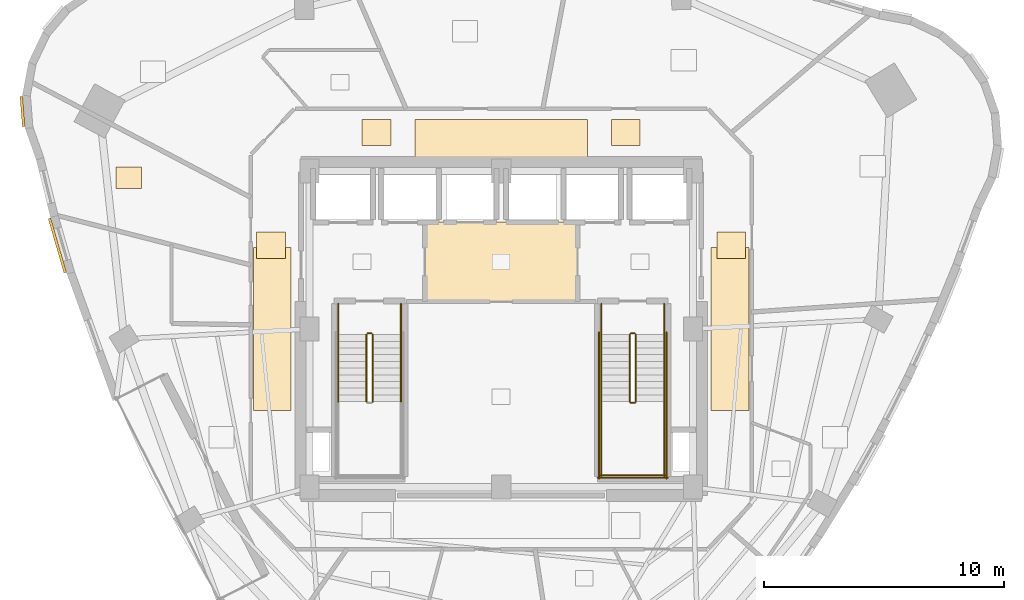
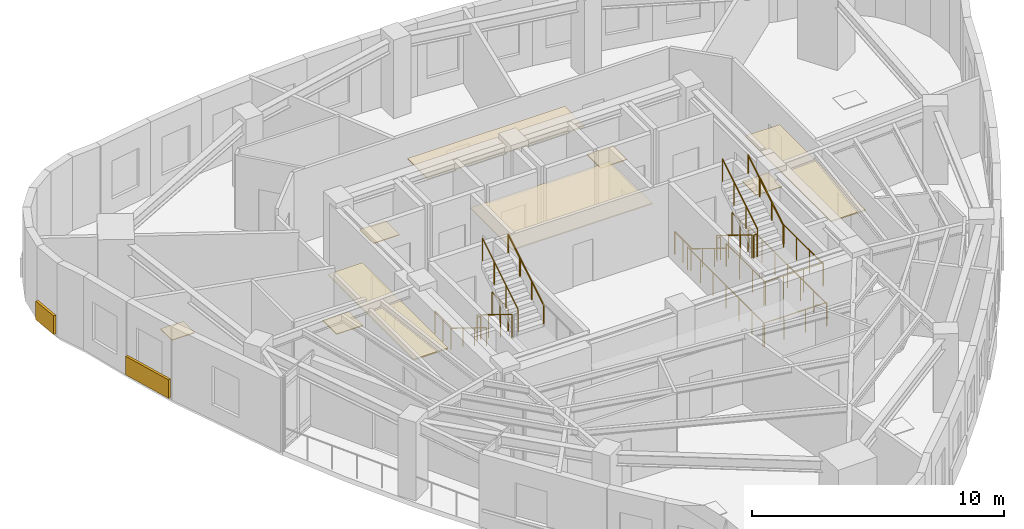
# One storey, part 11 of 12: 21 railings, 11 coverings.
"""IFC4 building model written with IfcOpenShell, lengths in metres."""

from ifc_helpers import new_model, si_unit, direction, frame, origin, origin_2d, place, context, subcontext, project, spatial, rectangle, circle, extrude, material, layer, layer_set, type_object, element, save


model = new_model("IFC4")

# Units and contexts
model_context = context("Model", 3, precision=1e-05, world=origin(), true_north=direction((0.0, 1.0)))
body_context = subcontext(model_context, "Body", "Model", "MODEL_VIEW")
ifc_project = project(units=[si_unit("LENGTHUNIT", "METRE"), si_unit("AREAUNIT", "SQUARE_METRE"), si_unit("VOLUMEUNIT", "CUBIC_METRE"), si_unit("PLANEANGLEUNIT", "RADIAN"), si_unit("MASSUNIT", "GRAM", prefix="KILO")], contexts=[model_context])

# Site, building, storey
site_placement = place(None, origin())
site = spatial("IfcSite", under=ifc_project, at=site_placement, CompositionType="ELEMENT")
building_placement = place(site_placement, origin())
building = spatial("IfcBuilding", under=site, at=building_placement, Name="Ndelora Gate Hotel", CompositionType="ELEMENT")
storey_placement = place(building_placement, frame((0.0, 0.0, 194.14990234375)))
storey = spatial("IfcBuildingStorey", under=building, at=storey_placement, Name="L48", CompositionType="ELEMENT", Elevation=194.14990234375)

# Coverings
ifc_material_1 = material(Name="Perforated Acoustic Gypsum Board", Category="gypsum")
ifc_layer_1 = layer(ifc_material_1, 0.054931640625)
ifc_layer_set_1 = layer_set([ifc_layer_1], Name="Perforated Acoustic Gypsum Board")
covering_type_1 = type_object("IfcCoveringType", Name="COV-CEIL-AC60", PredefinedType="CEILING", material=ifc_layer_set_1)
covering_1_placement = place(storey_placement, frame((0.0, 2.800048828125, 2.72265625), z_axis=(0.0, 0.0, 1.0), x_axis=(1.0, 0.0, 0.0)))
element("IfcCovering", 1, at=covering_1_placement, inside=storey, type_object=covering_type_1, Name="L48 Lift Lobby Acoustic Ceiling", PredefinedType="CEILING", context=body_context, shape_type="SweptSolid", body=[
    extrude(rectangle(XDim=6.39990234375, YDim=3.340087890625, at=origin_2d()), origin(), (0.0, 0.0, 1.0), 0.054931640625),
])
covering_2_placement = place(storey_placement, frame((0.0, 7.9599609375, 2.65283203125), z_axis=(0.0, 0.0, 1.0), x_axis=(1.0, 0.0, 0.0)))
element("IfcCovering", 2, at=covering_2_placement, inside=storey, type_object=covering_type_1, Name="L48 Guest Corridor Acoustic Ceiling N", PredefinedType="CEILING", context=body_context, shape_type="SweptSolid", body=[
    extrude(rectangle(XDim=7.199951171875, YDim=1.580078125, at=origin_2d()), origin(), (0.0, 0.0, 1.0), 0.054931640625),
])
for number, where, z_axis, x_axis, name in (
    (3, (-9.550048828125, 0.0, 2.65283203125), (0.0, 0.0, 1.0), (1.0, 0.0, 0.0), "L48 Guest Corridor Acoustic Ceiling W"),
    (4, (9.550048828125, 0.0, 2.65283203125), (0.0, 0.0, 1.0), (1.0, 0.0, 0.0), "L48 Guest Corridor Acoustic Ceiling E"),
):
    element("IfcCovering", number, at=place(storey_placement, frame(where, z_axis=z_axis, x_axis=x_axis)), inside=storey, type_object=covering_type_1, Name=name, PredefinedType="CEILING", context=body_context, shape_type="SweptSolid", body=[
        extrude(rectangle(XDim=1.580078125, YDim=6.800048828125, at=origin_2d()), origin(), (0.0, 0.0, 1.0), 0.054931640625),
    ])
ifc_material_2 = material(Name="Terracotta Fired Clay Brick Slip Cladding", Category="masonry")
ifc_layer_2 = layer(ifc_material_2, 0.110107421875)
ifc_layer_set_2 = layer_set([ifc_layer_2], Name="Terracotta Fired Clay Brick Slip Cladding")
covering_type_2 = type_object("IfcCoveringType", Name="COV-CLAD-BRK", PredefinedType="CLADDING", material=ifc_layer_set_2)
covering_3_placement = place(storey_placement, frame((-19.97412109375, 9.070556640625, 0.10009765625), z_axis=(0.0, 0.0, 1.0), x_axis=(-0.078459095728, 0.996917333733, 0.0)))
element("IfcCovering", 5, at=covering_3_placement, inside=storey, type_object=covering_type_2, Name="L48 Rounded-Corner Brick Cladding Band 7", PredefinedType="CLADDING", context=body_context, shape_type="SweptSolid", body=[
    extrude(rectangle(XDim=1.257080078125, YDim=0.110107421875, at=origin_2d()), origin(), (0.0, 0.0, 1.0), 0.89990234375),
])
covering_4_placement = place(storey_placement, frame((-18.51953125, 3.484130859375, 0.10009765625), z_axis=(0.0, 0.0, 1.0), x_axis=(-0.278488259221, 0.960439633437, 0.0)))
element("IfcCovering", 6, at=covering_4_placement, inside=storey, type_object=covering_type_2, Name="L48 Rounded-Corner Brick Cladding Band 10", PredefinedType="CLADDING", context=body_context, shape_type="SweptSolid", body=[
    extrude(rectangle(XDim=2.35888671875, YDim=0.110107421875, at=origin_2d()), origin(), (0.0, 0.0, 1.0), 0.89990234375),
])
ifc_material_3 = material(Name="Engineered Highland Oak Parquet", Category="wood")
ifc_layer_3 = layer(ifc_material_3, 0.030029296875)
ifc_layer_set_3 = layer_set([ifc_layer_3], Name="Engineered Highland Oak Parquet")
covering_type_3 = type_object("IfcCoveringType", Name="COV-FLR-PARQ", PredefinedType="FLOORING", material=ifc_layer_set_3)
covering_5_placement = place(storey_placement, frame((-15.541748046875, 6.30517578125, 0.0), z_axis=(0.0, 0.0, 1.0), x_axis=(1.0, 0.0, 0.0)))
element("IfcCovering", 7, at=covering_5_placement, inside=storey, type_object=covering_type_3, Name="L48 Housekeeping and Linen Room Oak Parquet Flooring", PredefinedType="FLOORING", context=body_context, shape_type="SweptSolid", body=[
    extrude(rectangle(XDim=1.050048828125, YDim=0.89990234375, at=origin_2d()), origin(), (0.0, 0.0, 1.0), 0.030029296875),
])
ifc_material_4 = material(Name="Polished Highland Stone Terrazzo", Category="masonry")
ifc_layer_4 = layer(ifc_material_4, 0.034912109375)
ifc_layer_set_4 = layer_set([ifc_layer_4], Name="Polished Highland Stone Terrazzo")
covering_type_4 = type_object("IfcCoveringType", Name="COV-FLR-TERZ", PredefinedType="FLOORING", material=ifc_layer_set_4)
for number, where, z_axis, x_axis, name in (
    (8, (-5.199951171875, 8.199951171875, 0.0), (0.0, 0.0, 1.0), (1.0, 0.0, 0.0), "L48 Corridor Threshold Terrazzo Inlay NW"),
    (9, (5.199951171875, 8.199951171875, 0.0), (0.0, 0.0, 1.0), (1.0, 0.0, 0.0), "L48 Corridor Threshold Terrazzo Inlay NE"),
    (10, (-9.60009765625, 3.5, 0.0), (0.0, 0.0, 1.0), (1.0, 0.0, 0.0), "L48 Corridor Threshold Terrazzo Inlay W"),
    (11, (9.60009765625, 3.5, 0.0), (0.0, 0.0, 1.0), (1.0, 0.0, 0.0), "L48 Corridor Threshold Terrazzo Inlay E"),
):
    element("IfcCovering", number, at=place(storey_placement, frame(where, z_axis=z_axis, x_axis=x_axis)), inside=storey, type_object=covering_type_4, Name=name, PredefinedType="FLOORING", context=body_context, shape_type="SweptSolid", body=[
        extrude(rectangle(XDim=1.199951171875, YDim=1.10009765625, at=origin_2d()), origin(), (0.0, 0.0, 1.0), 0.034912109375),
    ])

# Railings
ifc_material_5 = material(Name="Painted Galvanized Steel Balustrade", Category="steel")
ifc_layer_5 = layer(ifc_material_5, 0.06005859375)
ifc_layer_set_5 = layer_set([ifc_layer_5], Name="Painted Galvanized Steel Balustrade")
railing_type_1 = type_object("IfcRailingType", Name="RL-STAIR-GD", PredefinedType="GUARDRAIL", material=ifc_layer_set_5)
railing_1_placement = place(storey_placement, frame((-5.6201171875, -0.22998046875, 0.1728515625)))
element("IfcRailing", 12, at=railing_1_placement, inside=storey, type_object=railing_type_1, Name="L48 ST4 stair guard 1", PredefinedType="GUARDRAIL", context=body_context, shape_type="SweptSolid", body=[
    extrude(circle(Radius=0.02392578125, at=origin_2d()), frame((0.0, 0.0, 1.10595703125), z_axis=(0.0, -0.851089632645, 0.525020415988), x_axis=(1.0, 0.0, 0.0)), (0.0, 0.0, 1.0), 3.2900390625),
    extrude(circle(Radius=0.02099609375, at=origin_2d()), origin(), (0.0, 0.0, 1.0), 1.081787109375),
    extrude(circle(Radius=0.02099609375, at=origin_2d()), frame((0.0, -0.933349609375, 0.57568359375)), (0.0, 0.0, 1.0), 1.081787109375),
    extrude(circle(Radius=0.02099609375, at=origin_2d()), frame((0.0, -1.86669921875, 1.151611328125)), (0.0, 0.0, 1.0), 1.081787109375),
    extrude(circle(Radius=0.02099609375, at=origin_2d()), frame((0.0, -2.800048828125, 1.727294921875)), (0.0, 0.0, 1.0), 1.081787109375),
])
railing_2_placement = place(storey_placement, frame((-5.360107421875, -3.030029296875, 2.07275390625)))
element("IfcRailing", 13, at=railing_2_placement, inside=storey, type_object=railing_type_1, Name="L48 ST4 stair guard 6", PredefinedType="GUARDRAIL", context=body_context, shape_type="SweptSolid", body=[
    extrude(circle(Radius=0.02392578125, at=origin_2d()), frame((0.0, 0.0, 1.10595703125), z_axis=(0.0, 0.851089632645, 0.525020415988), x_axis=(-1.0, 0.0, 0.0)), (0.0, 0.0, 1.0), 3.2900390625),
    extrude(circle(Radius=0.02099609375, at=origin_2d()), origin(), (0.0, 0.0, 1.0), 1.081787109375),
    extrude(circle(Radius=0.02099609375, at=origin_2d()), frame((0.0, 0.933349609375, 0.57568359375)), (0.0, 0.0, 1.0), 1.081787109375),
    extrude(circle(Radius=0.02099609375, at=origin_2d()), frame((0.0, 1.86669921875, 1.151611328125)), (0.0, 0.0, 1.0), 1.081787109375),
    extrude(circle(Radius=0.02099609375, at=origin_2d()), frame((0.0, 2.800048828125, 1.727294921875)), (0.0, 0.0, 1.0), 1.081787109375),
])
railing_3_placement = place(storey_placement, frame((-5.570068359375, -0.179931640625, 0.0)))
element("IfcRailing", 14, at=railing_3_placement, inside=storey, type_object=railing_type_1, Name="L48 ST4 stair guard 7", PredefinedType="GUARDRAIL", context=body_context, shape_type="SweptSolid", body=[
    extrude(circle(Radius=0.02392578125, at=origin_2d()), frame((0.0, 0.0, 1.10595703125), z_axis=(1.0, 0.0, 0.0), x_axis=(0.0, 1.0, 0.0)), (0.0, 0.0, 1.0), 0.16015625),
    extrude(circle(Radius=0.02099609375, at=origin_2d()), origin(), (0.0, 0.0, 1.0), 1.081787109375),
    extrude(circle(Radius=0.02099609375, at=origin_2d()), frame((0.16015625, 0.0, 0.0)), (0.0, 0.0, 1.0), 1.081787109375),
])
for number, where, name in (
    (15, (-6.800048828125, 1.050048828125, 0.0), "L48 ST4 stair guard 8"),
    (16, (-4.179931640625, 1.050048828125, 0.0), "L48 ST4 stair guard 9"),
):
    element("IfcRailing", number, at=place(storey_placement, frame(where)), inside=storey, type_object=railing_type_1, Name=name, PredefinedType="GUARDRAIL", context=body_context, shape_type="SweptSolid", body=[
        extrude(circle(Radius=0.02392578125, at=origin_2d()), frame((0.0, 0.0, 1.10595703125), z_axis=(0.0, -1.0, 0.0), x_axis=(1.0, 0.0, 0.0)), (0.0, 0.0, 1.0), 1.280029296875),
        extrude(circle(Radius=0.02099609375, at=origin_2d()), origin(), (0.0, 0.0, 1.0), 1.081787109375),
        extrude(circle(Radius=0.02099609375, at=origin_2d()), frame((0.0, -0.64013671875, 0.0)), (0.0, 0.0, 1.0), 1.081787109375),
        extrude(circle(Radius=0.02099609375, at=origin_2d()), frame((0.0, -1.280029296875, 0.0)), (0.0, 0.0, 1.0), 1.081787109375),
    ])
railing_4_placement = place(storey_placement, frame((5.360107421875, -0.22998046875, 0.1728515625)))
element("IfcRailing", 17, at=railing_4_placement, inside=storey, type_object=railing_type_1, Name="L48 ST5 stair guard 1", PredefinedType="GUARDRAIL", context=body_context, shape_type="SweptSolid", body=[
    extrude(circle(Radius=0.02392578125, at=origin_2d()), frame((0.0, 0.0, 1.10595703125), z_axis=(0.0, -0.851089632645, 0.525020415988), x_axis=(1.0, 0.0, 0.0)), (0.0, 0.0, 1.0), 3.2900390625),
    extrude(circle(Radius=0.02099609375, at=origin_2d()), origin(), (0.0, 0.0, 1.0), 1.081787109375),
    extrude(circle(Radius=0.02099609375, at=origin_2d()), frame((0.0, -0.933349609375, 0.57568359375)), (0.0, 0.0, 1.0), 1.081787109375),
    extrude(circle(Radius=0.02099609375, at=origin_2d()), frame((0.0, -1.86669921875, 1.151611328125)), (0.0, 0.0, 1.0), 1.081787109375),
    extrude(circle(Radius=0.02099609375, at=origin_2d()), frame((0.0, -2.800048828125, 1.727294921875)), (0.0, 0.0, 1.0), 1.081787109375),
])
railing_5_placement = place(storey_placement, frame((5.409912109375, -3.080078125, 1.900146484375)))
element("IfcRailing", 18, at=railing_5_placement, inside=storey, type_object=railing_type_1, Name="L48 ST5 stair guard 2", PredefinedType="GUARDRAIL", context=body_context, shape_type="SweptSolid", body=[
    extrude(circle(Radius=0.02392578125, at=origin_2d()), frame((0.0, 0.0, 1.10595703125), z_axis=(1.0, 0.0, 0.0), x_axis=(0.0, 1.0, 0.0)), (0.0, 0.0, 1.0), 0.16015625),
    extrude(circle(Radius=0.02099609375, at=origin_2d()), origin(), (0.0, 0.0, 1.0), 1.081787109375),
    extrude(circle(Radius=0.02099609375, at=origin_2d()), frame((0.16015625, 0.0, 0.0)), (0.0, 0.0, 1.0), 1.081787109375),
])
for number, where, name in (
    (19, (4.179931640625, -3.030029296875, 1.900146484375), "L48 ST5 stair guard 3"),
    (20, (6.800048828125, -3.030029296875, 1.900146484375), "L48 ST5 stair guard 4"),
):
    element("IfcRailing", number, at=place(storey_placement, frame(where)), inside=storey, type_object=railing_type_1, Name=name, PredefinedType="GUARDRAIL", context=body_context, shape_type="SweptSolid", body=[
        extrude(circle(Radius=0.02392578125, at=origin_2d()), frame((0.0, 0.0, 1.10595703125), z_axis=(0.0, -1.0, 0.0), x_axis=(1.0, 0.0, 0.0)), (0.0, 0.0, 1.0), 3.119873046875),
        extrude(circle(Radius=0.02099609375, at=origin_2d()), origin(), (0.0, 0.0, 1.0), 1.081787109375),
        extrude(circle(Radius=0.02099609375, at=origin_2d()), frame((0.0, -1.0400390625, 0.0)), (0.0, 0.0, 1.0), 1.081787109375),
        extrude(circle(Radius=0.02099609375, at=origin_2d()), frame((0.0, -2.079833984375, 0.0)), (0.0, 0.0, 1.0), 1.081787109375),
        extrude(circle(Radius=0.02099609375, at=origin_2d()), frame((0.0, -3.119873046875, 0.0)), (0.0, 0.0, 1.0), 1.081787109375),
    ])
railing_6_placement = place(storey_placement, frame((4.1298828125, -6.10009765625, 1.900146484375)))
element("IfcRailing", 21, at=railing_6_placement, inside=storey, type_object=railing_type_1, Name="L48 ST5 stair guard 5", PredefinedType="GUARDRAIL", context=body_context, shape_type="SweptSolid", body=[
    extrude(circle(Radius=0.02392578125, at=origin_2d()), frame((0.0, 0.0, 1.10595703125), z_axis=(1.0, 0.0, 0.0), x_axis=(0.0, 1.0, 0.0)), (0.0, 0.0, 1.0), 2.72021484375),
    extrude(circle(Radius=0.02099609375, at=origin_2d()), origin(), (0.0, 0.0, 1.0), 1.081787109375),
    extrude(circle(Radius=0.02099609375, at=origin_2d()), frame((0.90673828125, 0.0, 0.0)), (0.0, 0.0, 1.0), 1.081787109375),
    extrude(circle(Radius=0.02099609375, at=origin_2d()), frame((1.8134765625, 0.0, 0.0)), (0.0, 0.0, 1.0), 1.081787109375),
    extrude(circle(Radius=0.02099609375, at=origin_2d()), frame((2.72021484375, 0.0, 0.0)), (0.0, 0.0, 1.0), 1.081787109375),
])
railing_7_placement = place(storey_placement, frame((5.6201171875, -3.030029296875, 2.07275390625)))
element("IfcRailing", 22, at=railing_7_placement, inside=storey, type_object=railing_type_1, Name="L48 ST5 stair guard 6", PredefinedType="GUARDRAIL", context=body_context, shape_type="SweptSolid", body=[
    extrude(circle(Radius=0.02392578125, at=origin_2d()), frame((0.0, 0.0, 1.10595703125), z_axis=(0.0, 0.851089632645, 0.525020415988), x_axis=(-1.0, 0.0, 0.0)), (0.0, 0.0, 1.0), 3.2900390625),
    extrude(circle(Radius=0.02099609375, at=origin_2d()), origin(), (0.0, 0.0, 1.0), 1.081787109375),
    extrude(circle(Radius=0.02099609375, at=origin_2d()), frame((0.0, 0.933349609375, 0.57568359375)), (0.0, 0.0, 1.0), 1.081787109375),
    extrude(circle(Radius=0.02099609375, at=origin_2d()), frame((0.0, 1.86669921875, 1.151611328125)), (0.0, 0.0, 1.0), 1.081787109375),
    extrude(circle(Radius=0.02099609375, at=origin_2d()), frame((0.0, 2.800048828125, 1.727294921875)), (0.0, 0.0, 1.0), 1.081787109375),
])
railing_8_placement = place(storey_placement, frame((5.409912109375, -0.179931640625, 0.0)))
element("IfcRailing", 23, at=railing_8_placement, inside=storey, type_object=railing_type_1, Name="L48 ST5 stair guard 7", PredefinedType="GUARDRAIL", context=body_context, shape_type="SweptSolid", body=[
    extrude(circle(Radius=0.02392578125, at=origin_2d()), frame((0.0, 0.0, 1.10595703125), z_axis=(1.0, 0.0, 0.0), x_axis=(0.0, 1.0, 0.0)), (0.0, 0.0, 1.0), 0.16015625),
    extrude(circle(Radius=0.02099609375, at=origin_2d()), origin(), (0.0, 0.0, 1.0), 1.081787109375),
    extrude(circle(Radius=0.02099609375, at=origin_2d()), frame((0.16015625, 0.0, 0.0)), (0.0, 0.0, 1.0), 1.081787109375),
])
for number, where, name in (
    (24, (4.179931640625, 1.050048828125, 0.0), "L48 ST5 stair guard 8"),
    (25, (6.800048828125, 1.050048828125, 0.0), "L48 ST5 stair guard 9"),
):
    element("IfcRailing", number, at=place(storey_placement, frame(where)), inside=storey, type_object=railing_type_1, Name=name, PredefinedType="GUARDRAIL", context=body_context, shape_type="SweptSolid", body=[
        extrude(circle(Radius=0.02392578125, at=origin_2d()), frame((0.0, 0.0, 1.10595703125), z_axis=(0.0, -1.0, 0.0), x_axis=(1.0, 0.0, 0.0)), (0.0, 0.0, 1.0), 1.280029296875),
        extrude(circle(Radius=0.02099609375, at=origin_2d()), origin(), (0.0, 0.0, 1.0), 1.081787109375),
        extrude(circle(Radius=0.02099609375, at=origin_2d()), frame((0.0, -0.64013671875, 0.0)), (0.0, 0.0, 1.0), 1.081787109375),
        extrude(circle(Radius=0.02099609375, at=origin_2d()), frame((0.0, -1.280029296875, 0.0)), (0.0, 0.0, 1.0), 1.081787109375),
    ])
for number, where, name in (
    (26, (4.080078125, -0.1298828125, 0.0), "L48 ST5 stair guard 10"),
    (27, (6.89990234375, -0.1298828125, 0.0), "L48 ST5 stair guard 11"),
):
    element("IfcRailing", number, at=place(storey_placement, frame(where)), inside=storey, type_object=railing_type_1, Name=name, PredefinedType="GUARDRAIL", context=body_context, shape_type="SweptSolid", body=[
        extrude(circle(Radius=0.02392578125, at=origin_2d()), frame((0.0, 0.0, 1.10595703125), z_axis=(0.0, -1.0, 0.0), x_axis=(1.0, 0.0, 0.0)), (0.0, 0.0, 1.0), 6.1201171875),
        extrude(circle(Radius=0.02099609375, at=origin_2d()), origin(), (0.0, 0.0, 1.0), 1.081787109375),
        extrude(circle(Radius=0.02099609375, at=origin_2d()), frame((0.0, -1.02001953125, 0.0)), (0.0, 0.0, 1.0), 1.081787109375),
        extrude(circle(Radius=0.02099609375, at=origin_2d()), frame((0.0, -2.0400390625, 0.0)), (0.0, 0.0, 1.0), 1.081787109375),
        extrude(circle(Radius=0.02099609375, at=origin_2d()), frame((0.0, -3.06005859375, 0.0)), (0.0, 0.0, 1.0), 1.081787109375),
        extrude(circle(Radius=0.02099609375, at=origin_2d()), frame((0.0, -4.080078125, 0.0)), (0.0, 0.0, 1.0), 1.081787109375),
        extrude(circle(Radius=0.02099609375, at=origin_2d()), frame((0.0, -5.10009765625, 0.0)), (0.0, 0.0, 1.0), 1.081787109375),
        extrude(circle(Radius=0.02099609375, at=origin_2d()), frame((0.0, -6.1201171875, 0.0)), (0.0, 0.0, 1.0), 1.081787109375),
    ])
railing_9_placement = place(storey_placement, frame((4.030029296875, -6.199951171875, 0.0)))
element("IfcRailing", 28, at=railing_9_placement, inside=storey, type_object=railing_type_1, Name="L48 ST5 stair guard 12", PredefinedType="GUARDRAIL", context=body_context, shape_type="SweptSolid", body=[
    extrude(circle(Radius=0.02392578125, at=origin_2d()), frame((0.0, 0.0, 1.10595703125), z_axis=(1.0, 0.0, 0.0), x_axis=(0.0, 1.0, 0.0)), (0.0, 0.0, 1.0), 2.919921875),
    extrude(circle(Radius=0.02099609375, at=origin_2d()), origin(), (0.0, 0.0, 1.0), 1.081787109375),
    extrude(circle(Radius=0.02099609375, at=origin_2d()), frame((0.973388671875, 0.0, 0.0)), (0.0, 0.0, 1.0), 1.081787109375),
    extrude(circle(Radius=0.02099609375, at=origin_2d()), frame((1.946533203125, 0.0, 0.0)), (0.0, 0.0, 1.0), 1.081787109375),
    extrude(circle(Radius=0.02099609375, at=origin_2d()), frame((2.919921875, 0.0, 0.0)), (0.0, 0.0, 1.0), 1.081787109375),
])
ifc_material_6 = material(Name="Brushed Stainless Steel 316", Category="steel")
ifc_layer_6 = layer(ifc_material_6, 0.050048828125)
ifc_layer_set_6 = layer_set([ifc_layer_6], Name="Brushed Stainless Steel 316")
railing_type_2 = type_object("IfcRailingType", Name="RL-STAIR-HR", PredefinedType="HANDRAIL", material=ifc_layer_set_6)
railing_10_placement = place(storey_placement, frame((-6.800048828125, -0.22998046875, 0.1728515625)))
element("IfcRailing", 29, at=railing_10_placement, inside=storey, type_object=railing_type_2, Name="L48 ST4 stair handrail 1", PredefinedType="HANDRAIL", context=body_context, shape_type="SweptSolid", body=[
    extrude(circle(Radius=0.02392578125, at=origin_2d()), frame((0.0, 0.0, 0.8759765625), z_axis=(0.0, -0.851089632645, 0.525020415988), x_axis=(1.0, 0.0, 0.0)), (0.0, 0.0, 1.0), 3.2900390625),
    extrude(circle(Radius=0.02099609375, at=origin_2d()), origin(), (0.0, 0.0, 1.0), 0.851806640625),
    extrude(circle(Radius=0.02099609375, at=origin_2d()), frame((0.0, -0.933349609375, 0.57568359375)), (0.0, 0.0, 1.0), 0.851806640625),
    extrude(circle(Radius=0.02099609375, at=origin_2d()), frame((0.0, -1.86669921875, 1.151611328125)), (0.0, 0.0, 1.0), 0.851806640625),
    extrude(circle(Radius=0.02099609375, at=origin_2d()), frame((0.0, -2.800048828125, 1.727294921875)), (0.0, 0.0, 1.0), 0.851806640625),
])
railing_11_placement = place(storey_placement, frame((-4.179931640625, -3.030029296875, 2.07275390625)))
element("IfcRailing", 30, at=railing_11_placement, inside=storey, type_object=railing_type_2, Name="L48 ST4 stair handrail 2", PredefinedType="HANDRAIL", context=body_context, shape_type="SweptSolid", body=[
    extrude(circle(Radius=0.02392578125, at=origin_2d()), frame((0.0, 0.0, 0.8759765625), z_axis=(0.0, 0.851089632645, 0.525020415988), x_axis=(-1.0, 0.0, 0.0)), (0.0, 0.0, 1.0), 3.2900390625),
    extrude(circle(Radius=0.02099609375, at=origin_2d()), origin(), (0.0, 0.0, 1.0), 0.851806640625),
    extrude(circle(Radius=0.02099609375, at=origin_2d()), frame((0.0, 0.933349609375, 0.57568359375)), (0.0, 0.0, 1.0), 0.851806640625),
    extrude(circle(Radius=0.02099609375, at=origin_2d()), frame((0.0, 1.86669921875, 1.151611328125)), (0.0, 0.0, 1.0), 0.851806640625),
    extrude(circle(Radius=0.02099609375, at=origin_2d()), frame((0.0, 2.800048828125, 1.727294921875)), (0.0, 0.0, 1.0), 0.851806640625),
])
railing_12_placement = place(storey_placement, frame((4.179931640625, -0.22998046875, 0.1728515625)))
element("IfcRailing", 31, at=railing_12_placement, inside=storey, type_object=railing_type_2, Name="L48 ST5 stair handrail 1", PredefinedType="HANDRAIL", context=body_context, shape_type="SweptSolid", body=[
    extrude(circle(Radius=0.02392578125, at=origin_2d()), frame((0.0, 0.0, 0.8759765625), z_axis=(0.0, -0.851089632645, 0.525020415988), x_axis=(1.0, 0.0, 0.0)), (0.0, 0.0, 1.0), 3.2900390625),
    extrude(circle(Radius=0.02099609375, at=origin_2d()), origin(), (0.0, 0.0, 1.0), 0.851806640625),
    extrude(circle(Radius=0.02099609375, at=origin_2d()), frame((0.0, -0.933349609375, 0.57568359375)), (0.0, 0.0, 1.0), 0.851806640625),
    extrude(circle(Radius=0.02099609375, at=origin_2d()), frame((0.0, -1.86669921875, 1.151611328125)), (0.0, 0.0, 1.0), 0.851806640625),
    extrude(circle(Radius=0.02099609375, at=origin_2d()), frame((0.0, -2.800048828125, 1.727294921875)), (0.0, 0.0, 1.0), 0.851806640625),
])
railing_13_placement = place(storey_placement, frame((6.800048828125, -3.030029296875, 2.07275390625)))
element("IfcRailing", 32, at=railing_13_placement, inside=storey, type_object=railing_type_2, Name="L48 ST5 stair handrail 2", PredefinedType="HANDRAIL", context=body_context, shape_type="SweptSolid", body=[
    extrude(circle(Radius=0.02392578125, at=origin_2d()), frame((0.0, 0.0, 0.8759765625), z_axis=(0.0, 0.851089632645, 0.525020415988), x_axis=(-1.0, 0.0, 0.0)), (0.0, 0.0, 1.0), 3.2900390625),
    extrude(circle(Radius=0.02099609375, at=origin_2d()), origin(), (0.0, 0.0, 1.0), 0.851806640625),
    extrude(circle(Radius=0.02099609375, at=origin_2d()), frame((0.0, 0.933349609375, 0.57568359375)), (0.0, 0.0, 1.0), 0.851806640625),
    extrude(circle(Radius=0.02099609375, at=origin_2d()), frame((0.0, 1.86669921875, 1.151611328125)), (0.0, 0.0, 1.0), 0.851806640625),
    extrude(circle(Radius=0.02099609375, at=origin_2d()), frame((0.0, 2.800048828125, 1.727294921875)), (0.0, 0.0, 1.0), 0.851806640625),
])

save(model, "model.ifc")
